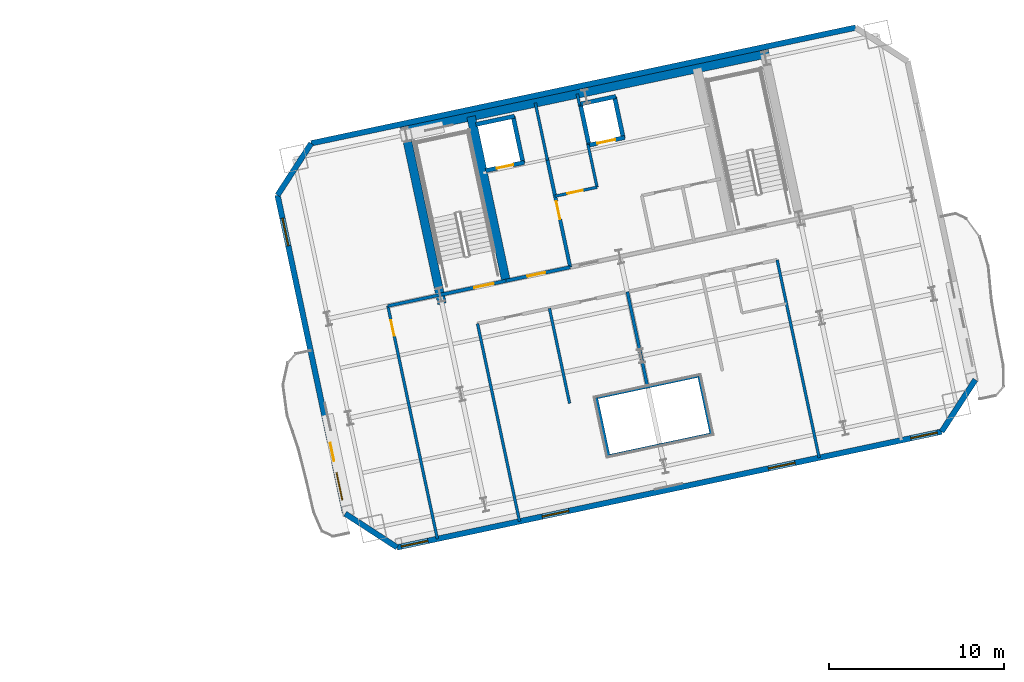
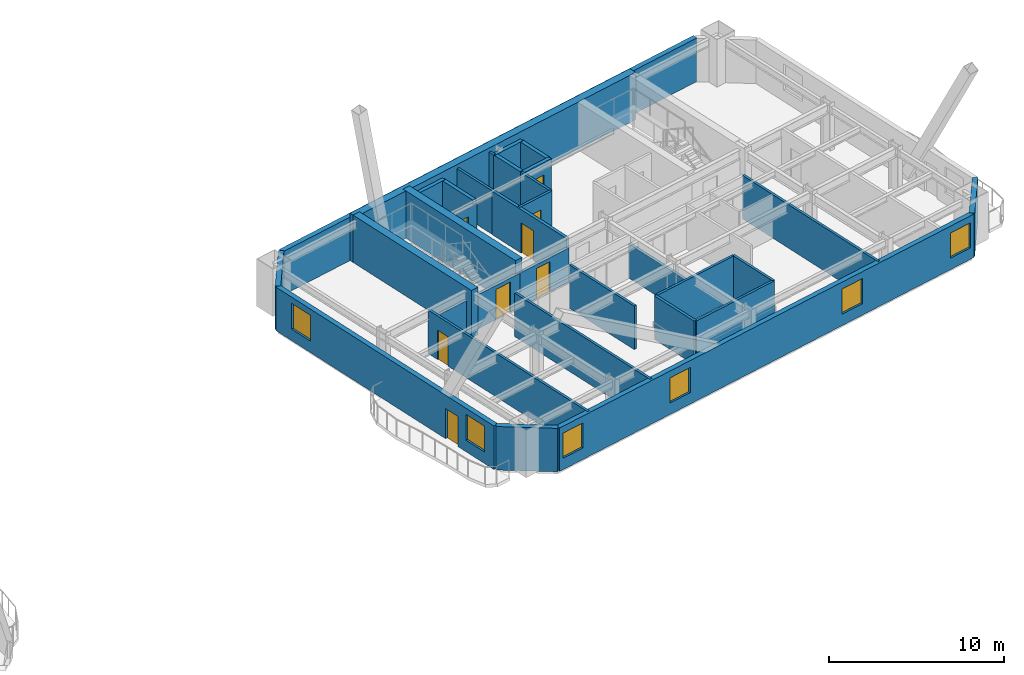
# One storey, part 8 of 14: 33 walls, 8 doors, 6 windows, 14 openings.
"""IFC4 building model written with IfcOpenShell, lengths in metres."""

from ifc_helpers import new_model, si_unit, direction, frame, frame_2d, origin, place, context, subcontext, project, spatial, rectangle, extrude, material, layer, layer_set, type_object, element, fill, save


model = new_model("IFC4")

# Units and contexts
model_context = context("Model", 3, precision=1e-05, world=origin(), true_north=direction((0.0, 1.0)))
body_context = subcontext(model_context, "Body", "Model", "MODEL_VIEW")
ifc_project = project(units=[si_unit("LENGTHUNIT", "METRE"), si_unit("AREAUNIT", "SQUARE_METRE"), si_unit("VOLUMEUNIT", "CUBIC_METRE"), si_unit("PLANEANGLEUNIT", "RADIAN"), si_unit("MASSUNIT", "GRAM", prefix="KILO")], contexts=[model_context])

# Site, building, storey
site_placement = place(None, origin())
site = spatial("IfcSite", under=ifc_project, at=site_placement, CompositionType="ELEMENT")
building_placement = place(site_placement, origin())
building = spatial("IfcBuilding", under=site, at=building_placement, Name="Haevon Station Towers", CompositionType="ELEMENT")
storey_placement = place(building_placement, frame((0.0, 0.0, 123.0)))
storey = spatial("IfcBuildingStorey", under=building, at=storey_placement, Name="L33", CompositionType="ELEMENT", Elevation=123.0)

# Walls
ifc_material_1 = material(Name="Gypsum board on steel stud", Category="steel")
ifc_layer_1 = layer(ifc_material_1, 0.179931640625)
ifc_layer_set_1 = layer_set([ifc_layer_1], Name="Gypsum board on steel stud")
wall_type_1 = type_object("IfcWallType", Name="WL-ACU180", PredefinedType="PARTITIONING", material=ifc_layer_set_1)
wall_1_placement = place(storey_placement, frame((95.76904296875, 36.808349609375, 0.0), z_axis=(0.0, 0.0, 1.0), x_axis=(0.978154782045, 0.207877902534, 0.0)))
element("IfcWall", 1, at=wall_1_placement, inside=storey, type_object=wall_type_1, Name="WL-T2PT-L33-03", PredefinedType="PARTITIONING", context=body_context, shape_type="SweptSolid", body=[
    extrude(rectangle(XDim=3.050048828125, YDim=0.179931640625, at=frame_2d((1.52490234375, 0.0))), origin(), (0.0, 0.0, 1.0), 2.3798828125),
])
wall_2_placement = place(storey_placement, frame((108.37548828125, 28.2421875, 0.0), z_axis=(0.0, 0.0, 1.0), x_axis=(-0.207881084728, 0.978154105758, 0.0)))
element("IfcWall", 2, at=wall_2_placement, inside=storey, type_object=wall_type_1, Name="WL-T2PT-L33-09", PredefinedType="PARTITIONING", context=body_context, shape_type="SweptSolid", body=[
    extrude(rectangle(XDim=3.39990234375, YDim=0.179931640625, at=frame_2d((1.699951171875, 0.0))), origin(), (0.0, 0.0, 1.0), 3.030029296875),
])
wall_3_placement = place(storey_placement, frame((110.60302734375, 32.191650390625, 0.0), z_axis=(0.0, 0.0, 1.0), x_axis=(-0.207894531291, 0.978151247946, 0.0)))
element("IfcWall", 3, at=wall_3_placement, inside=storey, type_object=wall_type_1, Name="WL-T2PT-L33-12", PredefinedType="PARTITIONING", context=body_context, shape_type="SweptSolid", body=[
    extrude(rectangle(XDim=5.550048828125, YDim=0.179931640625, at=frame_2d((2.77490234375, 0.0))), origin(), (0.0, 0.0, 1.0), 2.3798828125),
])

# Wall, opening, door
ifc_layer_2 = layer(ifc_material_1, 0.199951171875)
ifc_layer_set_2 = layer_set([ifc_layer_2], Name="Gypsum board on steel stud")
wall_type_2 = type_object("IfcWallType", Name="WL-COR200", PredefinedType="PARTITIONING", material=ifc_layer_set_2)
wall_4_placement = place(storey_placement, frame((98.75244140625, 37.4423828125, 0.0), z_axis=(0.0, 0.0, 1.0), x_axis=(0.978143537786, 0.207930804564, 0.0)))
wall_4 = element("IfcWall", 4, at=wall_4_placement, inside=storey, type_object=wall_type_2, Name="WL-ST-ST3-L33", PredefinedType="PARTITIONING", context=body_context, shape_type="SweptSolid", body=[
    extrude(rectangle(XDim=3.85009765625, YDim=0.199951171875, at=frame_2d((1.925048828125, 0.0))), origin(), (0.0, 0.0, 1.0), 2.3798828125),
])
opening_1_placement = place(wall_4_placement, frame((2.0, 0.0, 0.0)))
opening_1 = element("IfcOpeningElement", 5, at=opening_1_placement, cuts=wall_4, Name="Opening DR-ST-ST3-L33", PredefinedType="OPENING", context=body_context, shape_type="SweptSolid", body=[
    extrude(rectangle(XDim=1.1201171875, YDim=2.10009765625, at=frame_2d((0.56005859375, 1.050048828125))), frame((0.0, 0.10986328125, 0.0), z_axis=(0.0, -1.0, 0.0), x_axis=(1.0, 0.0, 0.0)), (0.0, 0.0, 1.0), 0.219970703125),
])
ifc_material_2 = material(Name="Engineered oak timber", Category="wood")
door_type_1 = type_object("IfcDoorType", Name="DR-ST-1120", OperationType="NOTDEFINED", PredefinedType="DOOR", material=ifc_material_2)
door_1_placement = place(opening_1_placement, origin())
door_1 = element("IfcDoor", 6, at=door_1_placement, inside=storey, type_object=door_type_1, Name="L33 Escape Stair ST3 Fire Door", OperationType="SINGLE_SWING_RIGHT", OverallHeight=2.10009765625, OverallWidth=1.1201171875, PredefinedType="DOOR", context=body_context, shape_type="SweptSolid", body=[
    extrude(rectangle(XDim=1.1201171875, YDim=2.10009765625, at=frame_2d((0.56005859375, 1.050048828125))), frame((0.0, 0.02490234375, 0.0), z_axis=(0.0, -1.0, 0.0), x_axis=(1.0, 0.0, 0.0)), (0.0, 0.0, 1.0), 0.050048828125),
])
fill(opening_1, door_1)

wall_5_placement = place(storey_placement, frame((106.186279296875, 39.0224609375, 0.0), z_axis=(0.0, 0.0, 1.0), x_axis=(-0.207916691923, 0.978146537703, 0.0)))
wall_5 = element("IfcWall", 7, at=wall_5_placement, inside=storey, type_object=wall_type_2, Name="WL-T2FFL-L33-E", PredefinedType="PARTITIONING", context=body_context, shape_type="SweptSolid", body=[
    extrude(rectangle(XDim=6.35009765625, YDim=0.199951171875, at=frame_2d((3.175048828125, 0.0))), origin(), (0.0, 0.0, 1.0), 3.030029296875),
])
opening_2_placement = place(wall_5_placement, frame((2.800048828125, 0.0, 0.0)))
opening_2 = element("IfcOpeningElement", 8, at=opening_2_placement, cuts=wall_5, Name="Opening DR-T2FFL-L33-E", PredefinedType="OPENING", context=body_context, shape_type="SweptSolid", body=[
    extrude(rectangle(XDim=1.050048828125, YDim=2.10009765625, at=frame_2d((0.52490234375, 1.050048828125))), frame((0.0, 0.10986328125, 0.0), z_axis=(0.0, -1.0, 0.0), x_axis=(1.0, 0.0, 0.0)), (0.0, 0.0, 1.0), 0.219970703125),
])
door_type_2 = type_object("IfcDoorType", Name="DR-FD60-1050", OperationType="NOTDEFINED", PredefinedType="DOOR", material=ifc_material_2)
door_2_placement = place(opening_2_placement, origin())
door_2 = element("IfcDoor", 9, at=door_2_placement, inside=storey, type_object=door_type_2, Name="L33 Tower 2 Firefighting Lift Lobby Door E", OperationType="SINGLE_SWING_RIGHT", OverallHeight=2.10009765625, OverallWidth=1.050048828125, PredefinedType="DOOR", context=body_context, shape_type="SweptSolid", body=[
    extrude(rectangle(XDim=1.050048828125, YDim=2.10009765625, at=frame_2d((0.52490234375, 1.050048828125))), frame((0.0, 0.02490234375, 0.0), z_axis=(0.0, -1.0, 0.0), x_axis=(1.0, 0.0, 0.0)), (0.0, 0.0, 1.0), 0.050048828125),
])
fill(opening_2, door_2)

wall_6_placement = place(storey_placement, frame((102.518310546875, 38.242919921875, 0.0), z_axis=(0.0, 0.0, 1.0), x_axis=(0.978153555683, 0.20788367301, 0.0)))
wall_6 = element("IfcWall", 10, at=wall_6_placement, inside=storey, type_object=wall_type_2, Name="WL-T2FFL-L33-S", PredefinedType="PARTITIONING", context=body_context, shape_type="SweptSolid", body=[
    extrude(rectangle(XDim=3.75, YDim=0.199951171875, at=frame_2d((1.875, 0.0))), origin(), (0.0, 0.0, 1.0), 2.3798828125),
])
opening_3_placement = place(wall_6_placement, frame((1.25, 0.0, 0.0)))
opening_3 = element("IfcOpeningElement", 11, at=opening_3_placement, cuts=wall_6, Name="Opening DR-T2FFL-L33-S", PredefinedType="OPENING", context=body_context, shape_type="SweptSolid", body=[
    extrude(rectangle(XDim=1.050048828125, YDim=2.10009765625, at=frame_2d((0.52490234375, 1.050048828125))), frame((0.0, 0.10986328125, 0.0), z_axis=(0.0, -1.0, 0.0), x_axis=(1.0, 0.0, 0.0)), (0.0, 0.0, 1.0), 0.219970703125),
])
door_3_placement = place(opening_3_placement, origin())
door_3 = element("IfcDoor", 12, at=door_3_placement, inside=storey, type_object=door_type_2, Name="L33 Tower 2 Firefighting Lift Lobby Door S", OperationType="SINGLE_SWING_LEFT", OverallHeight=2.10009765625, OverallWidth=1.050048828125, PredefinedType="DOOR", context=body_context, shape_type="SweptSolid", body=[
    extrude(rectangle(XDim=1.050048828125, YDim=2.10009765625, at=frame_2d((0.52490234375, 1.050048828125))), frame((0.0, 0.02490234375, 0.0), z_axis=(0.0, -1.0, 0.0), x_axis=(1.0, 0.0, 0.0)), (0.0, 0.0, 1.0), 0.050048828125),
])
fill(opening_3, door_3)

# Walls
ifc_material_3 = material(Name="Concrete C60/75", Category="concrete")
ifc_layer_3 = layer(ifc_material_3, 0.5)
ifc_layer_set_3 = layer_set([ifc_layer_3], Name="Concrete C60/75")
wall_type_3 = type_object("IfcWallType", Name="WL-CR500", PredefinedType="SHEAR", material=ifc_layer_set_3)
wall_7_placement = place(storey_placement, frame((96.511962890625, 46.78076171875, 0.0), z_axis=(0.0, 0.0, 1.0), x_axis=(0.978148546782, 0.207907239961, 0.0)))
element("IfcWall", 13, at=wall_7_placement, inside=storey, type_object=wall_type_3, Name="WL-T2CR-L33-N", PredefinedType="SHEAR", context=body_context, shape_type="SweptSolid", body=[
    extrude(rectangle(XDim=21.499755859375, YDim=0.5, at=frame_2d((10.75, 0.0))), origin(), (0.0, 0.0, 1.0), 3.300048828125),
])
wall_8_placement = place(storey_placement, frame((98.8603515625, 36.933837890625, 0.0), z_axis=(0.0, 0.0, 1.0), x_axis=(-0.20790924889, 0.978148119778, 0.0)))
element("IfcWall", 14, at=wall_8_placement, inside=storey, type_object=wall_type_3, Name="WL-T2CR-L33-W", PredefinedType="SHEAR", context=body_context, shape_type="SweptSolid", body=[
    extrude(rectangle(XDim=10.119873046875, YDim=0.5, at=frame_2d((5.06005859375, 0.0))), origin(), (0.0, 0.0, 1.0), 3.300048828125),
])
wall_9_placement = place(storey_placement, frame((102.518310546875, 38.242919921875, 0.0), z_axis=(0.0, 0.0, 1.0), x_axis=(-0.207927495108, 0.978144241295, 0.0)))
element("IfcWall", 15, at=wall_9_placement, inside=storey, type_object=wall_type_3, Name="WL-T2CR-L33-M1", PredefinedType="SHEAR", context=body_context, shape_type="SweptSolid", body=[
    extrude(rectangle(XDim=9.599853515625, YDim=0.5, at=frame_2d((4.7998046875, 0.0))), origin(), (0.0, 0.0, 1.0), 3.300048828125),
])

# Wall, openings, windows
ifc_material_4 = material(Name="Precast concrete C45/55", Category="concrete")
ifc_layer_4 = layer(ifc_material_4, 0.320068359375)
ifc_layer_set_4 = layer_set([ifc_layer_4], Name="Precast concrete C45/55")
wall_type_4 = type_object("IfcWallType", Name="WL-EXT-PIER320", PredefinedType="SOLIDWALL", material=ifc_layer_set_4)
wall_10_placement = place(storey_placement, frame((127.403076171875, 29.62841796875, 0.0), z_axis=(0.0, 0.0, 1.0), x_axis=(-0.978147903401, -0.207910266877, 0.0)))
wall_10 = element("IfcWall", 16, at=wall_10_placement, inside=storey, type_object=wall_type_4, Name="WL-T2-L33-S", PredefinedType="SOLIDWALL", context=body_context, shape_type="SweptSolid", body=[
    extrude(rectangle(XDim=31.800048828125, YDim=0.320068359375, at=frame_2d((15.89990234375, 0.0))), origin(), (0.0, 0.0, 1.0), 3.030029296875),
])
opening_4_placement = place(wall_10_placement, frame((30.0, 0.0, 0.800048828125)))
opening_4 = element("IfcOpeningElement", 17, at=opening_4_placement, cuts=wall_10, Name="Opening WN-P155", PredefinedType="OPENING", context=body_context, shape_type="SweptSolid", body=[
    extrude(rectangle(XDim=1.550048828125, YDim=1.75, at=frame_2d((0.77490234375, 0.875))), frame((0.0, 0.169921875, 0.0), z_axis=(0.0, -1.0, 0.0), x_axis=(1.0, 0.0, 0.0)), (0.0, 0.0, 1.0), 0.340087890625),
])
opening_5_placement = place(wall_10_placement, frame((0.25, 0.0, 0.800048828125)))
opening_5 = element("IfcOpeningElement", 18, at=opening_5_placement, cuts=wall_10, Name="Opening WN-P155", PredefinedType="OPENING", context=body_context, shape_type="SweptSolid", body=[
    extrude(rectangle(XDim=1.550048828125, YDim=1.75, at=frame_2d((0.77490234375, 0.875))), frame((0.0, 0.169921875, 0.0), z_axis=(0.0, -1.0, 0.0), x_axis=(1.0, 0.0, 0.0)), (0.0, 0.0, 1.0), 0.340087890625),
])
opening_6_placement = place(wall_10_placement, frame((21.77490234375, 0.0, 0.800048828125)))
opening_6 = element("IfcOpeningElement", 19, at=opening_6_placement, cuts=wall_10, Name="Opening WN-P155", PredefinedType="OPENING", context=body_context, shape_type="SweptSolid", body=[
    extrude(rectangle(XDim=1.550048828125, YDim=1.75, at=frame_2d((0.77490234375, 0.875))), frame((0.0, 0.169921875, 0.0), z_axis=(0.0, -1.0, 0.0), x_axis=(1.0, 0.0, 0.0)), (0.0, 0.0, 1.0), 0.340087890625),
])
opening_7_placement = place(wall_10_placement, frame((8.5625, 0.0, 0.800048828125)))
opening_7 = element("IfcOpeningElement", 20, at=opening_7_placement, cuts=wall_10, Name="Opening WN-P155", PredefinedType="OPENING", context=body_context, shape_type="SweptSolid", body=[
    extrude(rectangle(XDim=1.550048828125, YDim=1.75, at=frame_2d((0.77490234375, 0.875))), frame((0.0, 0.169921875, 0.0), z_axis=(0.0, -1.0, 0.0), x_axis=(1.0, 0.0, 0.0)), (0.0, 0.0, 1.0), 0.340087890625),
])
ifc_material_5 = material(Name="Low-E triple glazing in thermally broken aluminium", Category="aluminium")
window_type_1 = type_object("IfcWindowType", Name="WN-P155", PartitioningType="SINGLE_PANEL", PredefinedType="WINDOW", material=ifc_material_5)
window_1_placement = place(opening_4_placement, origin())
window_1 = element("IfcWindow", 21, at=window_1_placement, inside=storey, type_object=window_type_1, Name="WN-T2-L33-S01", OverallHeight=1.75, OverallWidth=1.550048828125, PartitioningType="SINGLE_PANEL", PredefinedType="WINDOW", context=body_context, shape_type="SweptSolid", body=[
    extrude(rectangle(XDim=1.550048828125, YDim=1.75, at=frame_2d((0.77490234375, 0.875))), frame((0.0, 0.030029296875, 0.0), z_axis=(0.0, -1.0, 0.0), x_axis=(1.0, 0.0, 0.0)), (0.0, 0.0, 1.0), 0.06005859375),
])
fill(opening_4, window_1)
window_2_placement = place(opening_5_placement, origin())
window_2 = element("IfcWindow", 22, at=window_2_placement, inside=storey, type_object=window_type_1, Name="WN-T2-L33-S02", OverallHeight=1.75, OverallWidth=1.550048828125, PartitioningType="SINGLE_PANEL", PredefinedType="WINDOW", context=body_context, shape_type="SweptSolid", body=[
    extrude(rectangle(XDim=1.550048828125, YDim=1.75, at=frame_2d((0.77490234375, 0.875))), frame((0.0, 0.030029296875, 0.0), z_axis=(0.0, -1.0, 0.0), x_axis=(1.0, 0.0, 0.0)), (0.0, 0.0, 1.0), 0.06005859375),
])
fill(opening_5, window_2)
window_3_placement = place(opening_6_placement, origin())
window_3 = element("IfcWindow", 23, at=window_3_placement, inside=storey, type_object=window_type_1, Name="WN-T2-L33-S03", OverallHeight=1.75, OverallWidth=1.550048828125, PartitioningType="SINGLE_PANEL", PredefinedType="WINDOW", context=body_context, shape_type="SweptSolid", body=[
    extrude(rectangle(XDim=1.550048828125, YDim=1.75, at=frame_2d((0.77490234375, 0.875))), frame((0.0, 0.030029296875, 0.0), z_axis=(0.0, -1.0, 0.0), x_axis=(1.0, 0.0, 0.0)), (0.0, 0.0, 1.0), 0.06005859375),
])
fill(opening_6, window_3)
window_4_placement = place(opening_7_placement, origin())
window_4 = element("IfcWindow", 24, at=window_4_placement, inside=storey, type_object=window_type_1, Name="WN-T2-L33-S04", OverallHeight=1.75, OverallWidth=1.550048828125, PartitioningType="SINGLE_PANEL", PredefinedType="WINDOW", context=body_context, shape_type="SweptSolid", body=[
    extrude(rectangle(XDim=1.550048828125, YDim=1.75, at=frame_2d((0.77490234375, 0.875))), frame((0.0, 0.030029296875, 0.0), z_axis=(0.0, -1.0, 0.0), x_axis=(1.0, 0.0, 0.0)), (0.0, 0.0, 1.0), 0.06005859375),
])
fill(opening_7, window_4)

# Wall
wall_11_placement = place(storey_placement, frame((96.2978515625, 23.016845703125, 0.0), z_axis=(0.0, 0.0, 1.0), x_axis=(-0.838672309694, 0.544636352948, 0.0)))
element("IfcWall", 25, at=wall_11_placement, inside=storey, type_object=wall_type_4, Name="WL-T2-L33-SWC", PredefinedType="SOLIDWALL", context=body_context, shape_type="SweptSolid", body=[
    extrude(rectangle(XDim=3.535400390625, YDim=0.320068359375, at=frame_2d((1.767578125, 0.0))), origin(), (0.0, 0.0, 1.0), 3.030029296875),
])

# Wall, openings, door, windows
wall_12_placement = place(storey_placement, frame((93.332763671875, 24.9423828125, 0.0), z_axis=(0.0, 0.0, 1.0), x_axis=(-0.207912600897, 0.97814740729, 0.0)))
wall_12 = element("IfcWall", 26, at=wall_12_placement, inside=storey, type_object=wall_type_4, Name="WL-T2-L33-W", PredefinedType="SOLIDWALL", context=body_context, shape_type="SweptSolid", body=[
    extrude(rectangle(XDim=18.60009765625, YDim=0.320068359375, at=frame_2d((9.300048828125, 0.0))), origin(), (0.0, 0.0, 1.0), 3.030029296875),
])
opening_8_placement = place(wall_12_placement, frame((3.074951171875, 0.0, 0.0)))
opening_8 = element("IfcOpeningElement", 27, at=opening_8_placement, cuts=wall_12, Name="Opening DR-T2-SCAL-L33-W", PredefinedType="OPENING", context=body_context, shape_type="SweptSolid", body=[
    extrude(rectangle(XDim=1.050048828125, YDim=2.10009765625, at=frame_2d((0.52490234375, 1.050048828125))), frame((0.0, 0.169921875, 0.0), z_axis=(0.0, -1.0, 0.0), x_axis=(1.0, 0.0, 0.0)), (0.0, 0.0, 1.0), 0.340087890625),
])
opening_9_placement = place(wall_12_placement, frame((0.800048828125, 0.0, 0.800048828125)))
opening_9 = element("IfcOpeningElement", 28, at=opening_9_placement, cuts=wall_12, Name="Opening WN-END160", PredefinedType="OPENING", context=body_context, shape_type="SweptSolid", body=[
    extrude(rectangle(XDim=1.60009765625, YDim=1.800048828125, at=frame_2d((0.800048828125, 0.89990234375))), frame((0.0, 0.169921875, 0.0), z_axis=(0.0, -1.0, 0.0), x_axis=(1.0, 0.0, 0.0)), (0.0, 0.0, 1.0), 0.340087890625),
])
opening_10_placement = place(wall_12_placement, frame((15.64990234375, 0.0, 0.800048828125)))
opening_10 = element("IfcOpeningElement", 29, at=opening_10_placement, cuts=wall_12, Name="Opening WN-END160", PredefinedType="OPENING", context=body_context, shape_type="SweptSolid", body=[
    extrude(rectangle(XDim=1.60009765625, YDim=1.800048828125, at=frame_2d((0.800048828125, 0.89990234375))), frame((0.0, 0.169921875, 0.0), z_axis=(0.0, -1.0, 0.0), x_axis=(1.0, 0.0, 0.0)), (0.0, 0.0, 1.0), 0.340087890625),
])
ifc_material_6 = material(Name="Thermally broken anodised aluminium and laminated safety glass", Category="aluminium")
door_type_3 = type_object("IfcDoorType", Name="DR-BALC-1050", OperationType="NOTDEFINED", PredefinedType="DOOR", material=ifc_material_6)
door_4_placement = place(opening_8_placement, origin())
door_4 = element("IfcDoor", 30, at=door_4_placement, inside=storey, type_object=door_type_3, Name="Tower 2 L33 West Scalloped Balcony Door", OperationType="SINGLE_SWING_RIGHT", OverallHeight=2.10009765625, OverallWidth=1.050048828125, PredefinedType="DOOR", context=body_context, shape_type="SweptSolid", body=[
    extrude(rectangle(XDim=1.050048828125, YDim=2.10009765625, at=frame_2d((0.52490234375, 1.050048828125))), frame((0.0, 0.02490234375, 0.0), z_axis=(0.0, -1.0, 0.0), x_axis=(1.0, 0.0, 0.0)), (0.0, 0.0, 1.0), 0.050048828125),
])
fill(opening_8, door_4)
window_type_2 = type_object("IfcWindowType", Name="WN-END160", PartitioningType="SINGLE_PANEL", PredefinedType="WINDOW", material=ifc_material_5)
window_5_placement = place(opening_9_placement, origin())
window_5 = element("IfcWindow", 31, at=window_5_placement, inside=storey, type_object=window_type_2, Name="WN-T2-L33-W01", OverallHeight=1.800048828125, OverallWidth=1.60009765625, PartitioningType="SINGLE_PANEL", PredefinedType="WINDOW", context=body_context, shape_type="SweptSolid", body=[
    extrude(rectangle(XDim=1.60009765625, YDim=1.800048828125, at=frame_2d((0.800048828125, 0.89990234375))), frame((0.0, 0.030029296875, 0.0), z_axis=(0.0, -1.0, 0.0), x_axis=(1.0, 0.0, 0.0)), (0.0, 0.0, 1.0), 0.06005859375),
])
fill(opening_9, window_5)
window_6_placement = place(opening_10_placement, origin())
window_6 = element("IfcWindow", 32, at=window_6_placement, inside=storey, type_object=window_type_2, Name="WN-T2-L33-W02", OverallHeight=1.800048828125, OverallWidth=1.60009765625, PartitioningType="SINGLE_PANEL", PredefinedType="WINDOW", context=body_context, shape_type="SweptSolid", body=[
    extrude(rectangle(XDim=1.60009765625, YDim=1.800048828125, at=frame_2d((0.800048828125, 0.89990234375))), frame((0.0, 0.030029296875, 0.0), z_axis=(0.0, -1.0, 0.0), x_axis=(1.0, 0.0, 0.0)), (0.0, 0.0, 1.0), 0.06005859375),
])
fill(opening_10, window_6)

# Walls
wall_13_placement = place(storey_placement, frame((89.465576171875, 43.135986328125, 0.0), z_axis=(0.0, 0.0, 1.0), x_axis=(0.544684921471, 0.838640767148, 0.0)))
element("IfcWall", 33, at=wall_13_placement, inside=storey, type_object=wall_type_4, Name="WL-T2-L33-NWC", PredefinedType="SOLIDWALL", context=body_context, shape_type="SweptSolid", body=[
    extrude(rectangle(XDim=3.53564453125, YDim=0.320068359375, at=frame_2d((1.767822265625, 0.0))), origin(), (0.0, 0.0, 1.0), 3.030029296875),
])
wall_14_placement = place(storey_placement, frame((91.391357421875, 46.10107421875, 0.0), z_axis=(0.0, 0.0, 1.0), x_axis=(0.978147571531, 0.207911828208, 0.0)))
element("IfcWall", 34, at=wall_14_placement, inside=storey, type_object=wall_type_4, Name="WL-T2-L33-N", PredefinedType="SOLIDWALL", context=body_context, shape_type="SweptSolid", body=[
    extrude(rectangle(XDim=31.7998046875, YDim=0.320068359375, at=frame_2d((15.89990234375, 0.0))), origin(), (0.0, 0.0, 1.0), 3.030029296875),
])
wall_15_placement = place(storey_placement, frame((129.32861328125, 32.593505859375, 0.0), z_axis=(0.0, 0.0, 1.0), x_axis=(-0.544636352948, -0.838672309694, 0.0)))
element("IfcWall", 35, at=wall_15_placement, inside=storey, type_object=wall_type_4, Name="WL-T2-L33-SEC", PredefinedType="SOLIDWALL", context=body_context, shape_type="SweptSolid", body=[
    extrude(rectangle(XDim=3.535400390625, YDim=0.320068359375, at=frame_2d((1.767578125, 0.0))), origin(), (0.0, 0.0, 1.0), 3.030029296875),
])
ifc_layer_5 = layer(ifc_material_1, 0.159912109375)
ifc_layer_set_5 = layer_set([ifc_layer_5], Name="Gypsum board on steel stud")
wall_type_5 = type_object("IfcWallType", Name="WL-PRT160", PredefinedType="PARTITIONING", material=ifc_layer_set_5)
wall_16_placement = place(storey_placement, frame((104.88671875, 45.135986328125, 0.0), z_axis=(0.0, 0.0, 1.0), x_axis=(-0.207846553267, 0.978161443881, 0.0)))
element("IfcWall", 36, at=wall_16_placement, inside=storey, type_object=wall_type_5, Name="WL-T2CW-L33-01", PredefinedType="PARTITIONING", context=body_context, shape_type="SweptSolid", body=[
    extrude(rectangle(XDim=3.35009765625, YDim=0.159912109375, at=frame_2d((1.675048828125, 0.0))), origin(), (0.0, 0.0, 1.0), 3.030029296875),
])

# Wall, opening, door
wall_17_placement = place(storey_placement, frame((105.323486328125, 43.081787109375, 0.0), z_axis=(0.0, 0.0, 1.0), x_axis=(0.978136559131, 0.207963630695, 0.0)))
wall_17 = element("IfcWall", 37, at=wall_17_placement, inside=storey, type_object=wall_type_5, Name="WL-T2CW-L33-02", PredefinedType="PARTITIONING", context=body_context, shape_type="SweptSolid", body=[
    extrude(rectangle(XDim=2.449951171875, YDim=0.159912109375, at=frame_2d((1.22509765625, 0.0))), origin(), (0.0, 0.0, 1.0), 3.030029296875),
])
opening_11_placement = place(wall_17_placement, frame((0.719970703125, 0.0, 0.0)))
opening_11 = element("IfcOpeningElement", 38, at=opening_11_placement, cuts=wall_17, Name="Opening DR-WL-T2CW-L33-02-1", PredefinedType="OPENING", context=body_context, shape_type="SweptSolid", body=[
    extrude(rectangle(XDim=0.89990234375, YDim=2.10009765625, at=frame_2d((0.449951171875, 1.050048828125))), frame((0.0, 0.08984375, 0.0), z_axis=(0.0, -1.0, 0.0), x_axis=(1.0, 0.0, 0.0)), (0.0, 0.0, 1.0), 0.179931640625),
])
door_type_4 = type_object("IfcDoorType", Name="DR-FD60-900", OperationType="NOTDEFINED", PredefinedType="DOOR", material=ifc_material_2)
door_5_placement = place(opening_11_placement, origin())
door_5 = element("IfcDoor", 39, at=door_5_placement, inside=storey, type_object=door_type_4, Name="L33 Tower 2 Core Room Door 2-1", OperationType="SINGLE_SWING_LEFT", OverallHeight=2.10009765625, OverallWidth=0.89990234375, PredefinedType="DOOR", context=body_context, shape_type="SweptSolid", body=[
    extrude(rectangle(XDim=0.89990234375, YDim=2.10009765625, at=frame_2d((0.449951171875, 1.050048828125))), frame((0.0, 0.02490234375, 0.0), z_axis=(0.0, -1.0, 0.0), x_axis=(1.0, 0.0, 0.0)), (0.0, 0.0, 1.0), 0.050048828125),
])
fill(opening_11, door_5)

# Walls
wall_18_placement = place(storey_placement, frame((107.719970703125, 43.59130859375, 0.0), z_axis=(0.0, 0.0, 1.0), x_axis=(-0.207914818928, 0.978146935828, 0.0)))
element("IfcWall", 40, at=wall_18_placement, inside=storey, type_object=wall_type_5, Name="WL-T2CW-L33-03", PredefinedType="PARTITIONING", context=body_context, shape_type="SweptSolid", body=[
    extrude(rectangle(XDim=2.5, YDim=0.159912109375, at=frame_2d((1.25, 0.0))), origin(), (0.0, 0.0, 1.0), 3.030029296875),
])
wall_19_placement = place(storey_placement, frame((106.721923828125, 48.286376953125, 0.0), z_axis=(0.0, 0.0, 1.0), x_axis=(-0.208092352933, 0.978109182377, 0.0)))
element("IfcWall", 41, at=wall_19_placement, inside=storey, type_object=wall_type_5, Name="WL-T2CW-L33-04", PredefinedType="PARTITIONING", context=body_context, shape_type="SweptSolid", body=[
    extrude(rectangle(XDim=0.64990234375, YDim=0.159912109375, at=frame_2d((0.324951171875, 0.0))), origin(), (0.0, 0.0, 1.0), 3.030029296875),
])
for number, where, z_axis, x_axis, name in (
    (42, (103.291748046875, 24.50341796875, 0.0), (0.0, 0.0, 1.0), (-0.207910580697, 0.978147836697, 0.0), "WL-T2PT-L33-01"),
    (43, (120.4091796875, 28.141845703125, 0.0), (0.0, 0.0, 1.0), (-0.207910580697, 0.978147836697, 0.0), "WL-T2PT-L33-02"),
):
    element("IfcWall", number, at=place(storey_placement, frame(where, z_axis=z_axis, x_axis=x_axis)), inside=storey, type_object=wall_type_5, Name=name, PredefinedType="PARTITIONING", context=body_context, shape_type="SweptSolid", body=[
        extrude(rectangle(XDim=11.550048828125, YDim=0.159912109375, at=frame_2d((5.77490234375, 0.0))), origin(), (0.0, 0.0, 1.0), 3.030029296875),
    ])

# Wall, opening, door
wall_20_placement = place(storey_placement, frame((98.5966796875, 23.50537109375, 0.0), z_axis=(0.0, 0.0, 1.0), x_axis=(-0.207911785474, 0.978147580614, 0.0)))
wall_20 = element("IfcWall", 44, at=wall_20_placement, inside=storey, type_object=wall_type_5, Name="WL-T2PT-L33-05", PredefinedType="PARTITIONING", context=body_context, shape_type="SweptSolid", body=[
    extrude(rectangle(XDim=13.60009765625, YDim=0.159912109375, at=frame_2d((6.800048828125, 0.0))), origin(), (0.0, 0.0, 1.0), 3.030029296875),
])
opening_12_placement = place(wall_20_placement, frame((11.8701171875, 0.0, 0.0)))
opening_12 = element("IfcOpeningElement", 45, at=opening_12_placement, cuts=wall_20, Name="Opening DR-WL-T2PT-L33-05-01", PredefinedType="OPENING", context=body_context, shape_type="SweptSolid", body=[
    extrude(rectangle(XDim=0.89990234375, YDim=2.050048828125, at=frame_2d((0.449951171875, 1.02490234375))), frame((0.0, 0.08984375, 0.0), z_axis=(0.0, -1.0, 0.0), x_axis=(1.0, 0.0, 0.0)), (0.0, 0.0, 1.0), 0.179931640625),
])
door_type_5 = type_object("IfcDoorType", Name="DR-INT-900", OperationType="NOTDEFINED", PredefinedType="DOOR", material=ifc_material_2)
door_6_placement = place(opening_12_placement, origin())
door_6 = element("IfcDoor", 46, at=door_6_placement, inside=storey, type_object=door_type_5, Name="L33 Tower 2 Room Door 5-1", OperationType="SINGLE_SWING_RIGHT", OverallHeight=2.050048828125, OverallWidth=0.89990234375, PredefinedType="DOOR", context=body_context, shape_type="SweptSolid", body=[
    extrude(rectangle(XDim=0.89990234375, YDim=2.050048828125, at=frame_2d((0.449951171875, 1.02490234375))), frame((0.0, 0.02490234375, 0.0), z_axis=(0.0, -1.0, 0.0), x_axis=(1.0, 0.0, 0.0)), (0.0, 0.0, 1.0), 0.050048828125),
])
fill(opening_12, door_6)

# Walls
wall_21_placement = place(storey_placement, frame((108.37548828125, 28.2421875, 0.0), z_axis=(0.0, 0.0, 1.0), x_axis=(0.978152955943, 0.207886494942, 0.0)))
element("IfcWall", 47, at=wall_21_placement, inside=storey, type_object=wall_type_5, Name="WL-T2PT-L33-07", PredefinedType="PARTITIONING", context=body_context, shape_type="SweptSolid", body=[
    extrude(rectangle(XDim=6.0, YDim=0.159912109375, at=frame_2d((3.0, 0.0))), origin(), (0.0, 0.0, 1.0), 3.030029296875),
])
wall_22_placement = place(storey_placement, frame((107.668701171875, 31.56787109375, 0.0), z_axis=(0.0, 0.0, 1.0), x_axis=(0.978151197336, 0.207894769415, 0.0)))
element("IfcWall", 48, at=wall_22_placement, inside=storey, type_object=wall_type_5, Name="WL-T2PT-L33-08", PredefinedType="PARTITIONING", context=body_context, shape_type="SweptSolid", body=[
    extrude(rectangle(XDim=5.999755859375, YDim=0.159912109375, at=frame_2d((3.0, 0.0))), origin(), (0.0, 0.0, 1.0), 3.030029296875),
])
wall_23_placement = place(storey_placement, frame((114.244384765625, 29.489501953125, 0.0), z_axis=(0.0, 0.0, 1.0), x_axis=(-0.207949787024, 0.97813950236, 0.0)))
element("IfcWall", 49, at=wall_23_placement, inside=storey, type_object=wall_type_5, Name="WL-T2PT-L33-10", PredefinedType="PARTITIONING", context=body_context, shape_type="SweptSolid", body=[
    extrude(rectangle(XDim=3.39990234375, YDim=0.159912109375, at=frame_2d((1.699951171875, 0.0))), origin(), (0.0, 0.0, 1.0), 3.030029296875),
])
wall_24_placement = place(storey_placement, frame((106.15234375, 31.24560546875, 0.0), z_axis=(0.0, 0.0, 1.0), x_axis=(-0.207894531291, 0.978151247946, 0.0)))
element("IfcWall", 50, at=wall_24_placement, inside=storey, type_object=wall_type_5, Name="WL-T2PT-L33-11", PredefinedType="PARTITIONING", context=body_context, shape_type="SweptSolid", body=[
    extrude(rectangle(XDim=5.550048828125, YDim=0.159912109375, at=frame_2d((2.77490234375, 0.0))), origin(), (0.0, 0.0, 1.0), 3.030029296875),
])

# Wall, opening, door
ifc_material_7 = material(Name="Concrete C40/50", Category="concrete")
ifc_layer_6 = layer(ifc_material_7, 0.239990234375)
ifc_layer_set_6 = layer_set([ifc_layer_6], Name="Concrete C40/50")
wall_type_6 = type_object("IfcWallType", Name="WL-SHF240", PredefinedType="PARTITIONING", material=ifc_layer_set_6)
wall_25_placement = place(storey_placement, frame((101.353759765625, 44.538330078125, 0.0), z_axis=(0.0, 0.0, 1.0), x_axis=(0.978141002414, 0.207942731049, 0.0)))
wall_25 = element("IfcWall", 51, at=wall_25_placement, inside=storey, type_object=wall_type_6, Name="WL-SHF-FL2-L33", PredefinedType="PARTITIONING", context=body_context, shape_type="SweptSolid", body=[
    extrude(rectangle(XDim=2.260009765625, YDim=0.239990234375, at=frame_2d((1.1298828125, 0.0))), origin(), (0.0, 0.0, 1.0), 2.72998046875),
])
opening_13_placement = place(wall_25_placement, frame((0.655029296875, 0.0, 0.0)))
opening_13 = element("IfcOpeningElement", 52, at=opening_13_placement, cuts=wall_25, Name="Opening LD-FL2-L33", PredefinedType="OPENING", context=body_context, shape_type="SweptSolid", body=[
    extrude(rectangle(XDim=0.949951171875, YDim=2.14990234375, at=frame_2d((0.47509765625, 1.074951171875))), frame((0.0, 0.1298828125, 0.0), z_axis=(0.0, -1.0, 0.0), x_axis=(1.0, 0.0, 0.0)), (0.0, 0.0, 1.0), 0.260009765625),
])
ifc_material_8 = material(Name="Stainless steel and rated core", Category="steel")
door_type_6 = type_object("IfcDoorType", Name="LD-FL950", OperationType="SLIDING_TO_LEFT", PredefinedType="DOOR", material=ifc_material_8)
door_7_placement = place(opening_13_placement, origin())
door_7 = element("IfcDoor", 53, at=door_7_placement, inside=storey, type_object=door_type_6, Name="L33 Lift FL2 Sliding Landing Door", OperationType="SLIDING_TO_LEFT", OverallHeight=2.14990234375, OverallWidth=0.949951171875, PredefinedType="DOOR", context=body_context, shape_type="SweptSolid", body=[
    extrude(rectangle(XDim=0.949951171875, YDim=2.14990234375, at=frame_2d((0.47509765625, 1.074951171875))), frame((0.0, 0.02490234375, 0.0), z_axis=(0.0, -1.0, 0.0), x_axis=(1.0, 0.0, 0.0)), (0.0, 0.0, 1.0), 0.050048828125),
])
fill(opening_13, door_7)

# Walls
wall_26_placement = place(storey_placement, frame((100.79248046875, 47.179443359375, 0.0), z_axis=(0.0, 0.0, 1.0), x_axis=(0.978162968872, 0.207839376268, 0.0)))
element("IfcWall", 54, at=wall_26_placement, inside=storey, type_object=wall_type_6, Name="WL-SHF-FL2-L33-N", PredefinedType="PARTITIONING", context=body_context, shape_type="SweptSolid", body=[
    extrude(rectangle(XDim=2.260009765625, YDim=0.239990234375, at=frame_2d((1.1298828125, 0.0))), origin(), (0.0, 0.0, 1.0), 3.030029296875),
])
wall_27_placement = place(storey_placement, frame((103.486328125, 44.99169921875, 0.0), z_axis=(0.0, 0.0, 1.0), x_axis=(-0.207978798957, 0.978133334052, 0.0)))
element("IfcWall", 55, at=wall_27_placement, inside=storey, type_object=wall_type_6, Name="WL-SHF-FL2-L33-E", PredefinedType="PARTITIONING", context=body_context, shape_type="SweptSolid", body=[
    extrude(rectangle(XDim=2.699951171875, YDim=0.239990234375, at=frame_2d((1.35009765625, 0.0))), origin(), (0.0, 0.0, 1.0), 3.030029296875),
])

# Wall, opening, door
wall_28_placement = place(storey_placement, frame((107.18115234375, 45.9814453125, 0.0), z_axis=(0.0, 0.0, 1.0), x_axis=(0.97813528961, 0.207969601673, 0.0)))
wall_28 = element("IfcWall", 56, at=wall_28_placement, inside=storey, type_object=wall_type_6, Name="WL-SHF-PL8-L33", PredefinedType="PARTITIONING", context=body_context, shape_type="SweptSolid", body=[
    extrude(rectangle(XDim=2.159912109375, YDim=0.239990234375, at=frame_2d((1.080078125, 0.0))), origin(), (0.0, 0.0, 1.0), 3.030029296875),
])
opening_14_placement = place(wall_28_placement, frame((0.554931640625, 0.0, 0.0)))
opening_14 = element("IfcOpeningElement", 57, at=opening_14_placement, cuts=wall_28, Name="Opening LD-PL8-L33", PredefinedType="OPENING", context=body_context, shape_type="SweptSolid", body=[
    extrude(rectangle(XDim=1.050048828125, YDim=2.14990234375, at=frame_2d((0.52490234375, 1.074951171875))), frame((0.0, 0.1298828125, 0.0), z_axis=(0.0, -1.0, 0.0), x_axis=(1.0, 0.0, 0.0)), (0.0, 0.0, 1.0), 0.260009765625),
])
door_type_7 = type_object("IfcDoorType", Name="LD-PL1050", OperationType="SLIDING_TO_LEFT", PredefinedType="DOOR", material=ifc_material_8)
door_8_placement = place(opening_14_placement, origin())
door_8 = element("IfcDoor", 58, at=door_8_placement, inside=storey, type_object=door_type_7, Name="L33 Lift PL8 Sliding Landing Door", OperationType="SLIDING_TO_LEFT", OverallHeight=2.14990234375, OverallWidth=1.050048828125, PredefinedType="DOOR", context=body_context, shape_type="SweptSolid", body=[
    extrude(rectangle(XDim=1.050048828125, YDim=2.14990234375, at=frame_2d((0.52490234375, 1.074951171875))), frame((0.0, 0.02490234375, 0.0), z_axis=(0.0, -1.0, 0.0), x_axis=(1.0, 0.0, 0.0)), (0.0, 0.0, 1.0), 0.050048828125),
])
fill(opening_14, door_8)

# Walls
wall_29_placement = place(storey_placement, frame((106.68212890625, 48.3291015625, 0.0), z_axis=(0.0, 0.0, 1.0), x_axis=(0.978158276388, 0.207861459473, 0.0)))
element("IfcWall", 59, at=wall_29_placement, inside=storey, type_object=wall_type_6, Name="WL-SHF-PL8-L33-N", PredefinedType="PARTITIONING", context=body_context, shape_type="SweptSolid", body=[
    extrude(rectangle(XDim=2.159912109375, YDim=0.239990234375, at=frame_2d((1.080078125, 0.0))), origin(), (0.0, 0.0, 1.0), 3.030029296875),
])
for number, where, z_axis, x_axis, name in (
    (60, (107.259521484375, 45.998046875, 0.0), (0.0, 0.0, 1.0), (-0.207917150959, 0.978146440129, 0.0), "WL-SHF-PL8-L33-W"),
    (61, (109.2158203125, 46.413818359375, 0.0), (0.0, 0.0, 1.0), (-0.207917150959, 0.978146440129, 0.0), "WL-SHF-PL8-L33-E"),
):
    element("IfcWall", number, at=place(storey_placement, frame(where, z_axis=z_axis, x_axis=x_axis)), inside=storey, type_object=wall_type_6, Name=name, PredefinedType="PARTITIONING", context=body_context, shape_type="SweptSolid", body=[
        extrude(rectangle(XDim=2.400146484375, YDim=0.239990234375, at=frame_2d((1.2001953125, 0.0))), origin(), (0.0, 0.0, 1.0), 3.030029296875),
    ])

save(model, "model.ifc")
